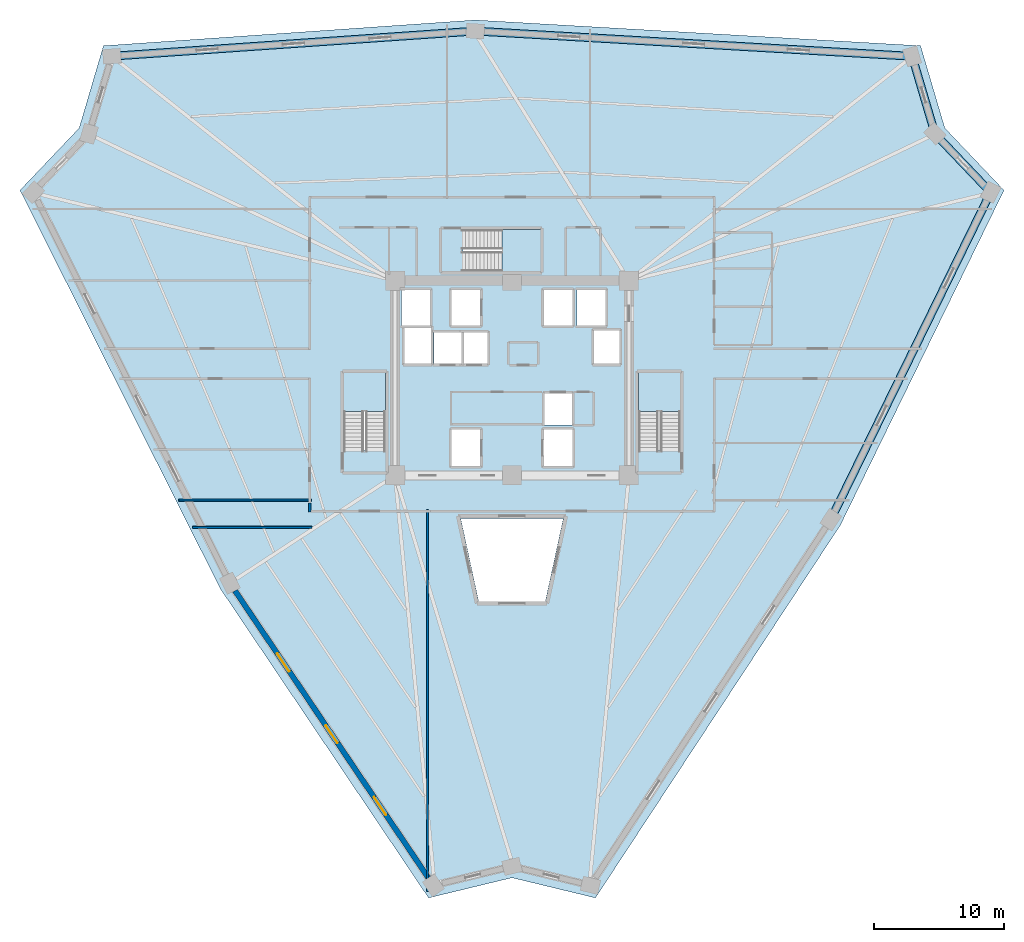
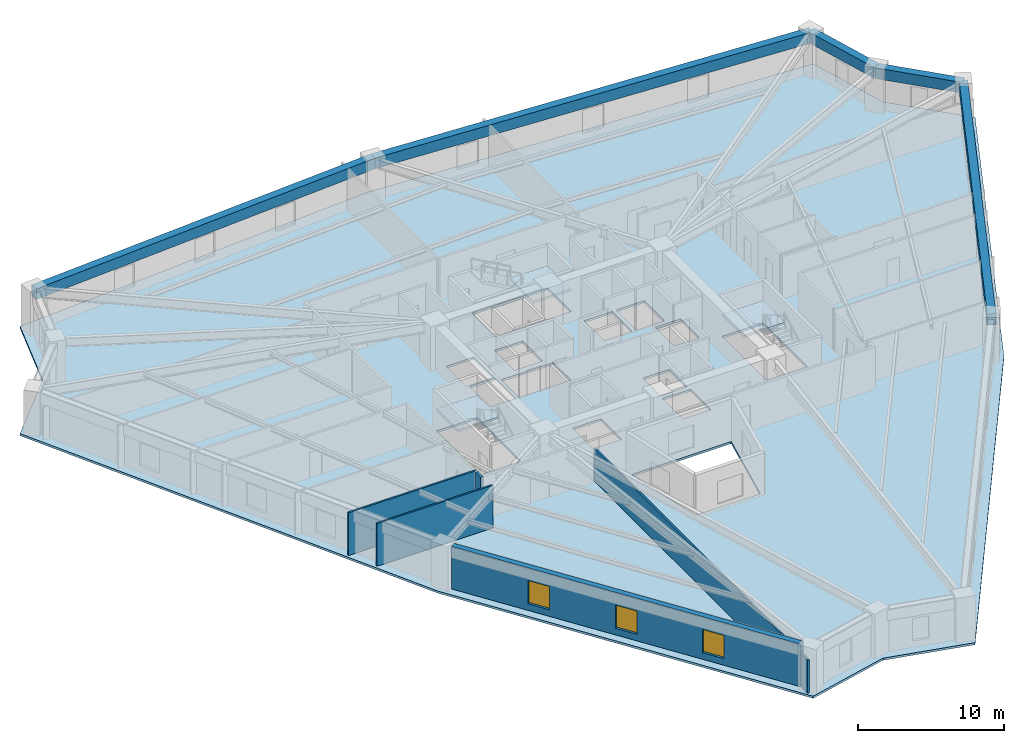
# One storey, part 2 of 8: 5 beams, 5 walls, 4 slabs, 3 windows, 3 openings, 3 elements without a shape of their own.
"""IFC4 building model written with IfcOpenShell, lengths in metres."""

from ifc_helpers import new_model, si_unit, direction, frame, frame_2d, origin, origin_2d, place, context, subcontext, project, spatial, polyline, rectangle, outline, extrude, source, transform, mapped, material, layer, layer_set, material_profile, profile_set, type_object, element, fill, aggregate, save


model = new_model("IFC4")

# Units and contexts
model_context = context("Model", 3, precision=1e-05, world=origin(), true_north=direction((0.0, 1.0)))
body_context = subcontext(model_context, "Body", "Model", "MODEL_VIEW")
ifc_project = project(units=[si_unit("LENGTHUNIT", "METRE"), si_unit("AREAUNIT", "SQUARE_METRE"), si_unit("VOLUMEUNIT", "CUBIC_METRE"), si_unit("PLANEANGLEUNIT", "RADIAN"), si_unit("MASSUNIT", "GRAM", prefix="KILO")], contexts=[model_context])

# Site, building, storey
site_placement = place(None, origin())
site = spatial("IfcSite", under=ifc_project, at=site_placement, CompositionType="ELEMENT")
building_placement = place(site_placement, origin())
building = spatial("IfcBuilding", under=site, at=building_placement, Name="Liaohun Quay Tower", CompositionType="ELEMENT")
storey_placement = place(building_placement, frame((0.0, 0.0, 109.5)))
storey = spatial("IfcBuildingStorey", under=building, at=storey_placement, Name="L28", CompositionType="ELEMENT", Elevation=109.5)

# Beams
ifc_material_1 = material(Name="Precast concrete C55", Category="concrete")
ifc_material_profile = material_profile(ifc_material_1, rectangle(XDim=0.60009765625, YDim=0.89990234375, at=origin_2d()), Name="RC600x900")
ifc_profile_set = profile_set([ifc_material_profile], Name="Precast concrete C55")
beam_type = type_object("IfcBeamType", Name="BM-SPD-Z2", PredefinedType="SPANDREL", material=ifc_profile_set)
shared_shape_1 = source(origin(), body_context, "Body", "SweptSolid", [
    extrude(rectangle(XDim=0.60009765625, YDim=0.89990234375, at=origin_2d()), origin(), (0.0, 0.0, 1.0), 33.677001953125),
])
beam_1_placement = place(storey_placement, frame((57.175048828125, 80.697021484375, 3.1201171875), z_axis=(0.998334044407, -0.057698663574, 0.0), x_axis=(0.057698663574, 0.998334044407, 0.0)))
element("IfcBeam", 1, at=beam_1_placement, inside=storey, type_object=beam_type, Name="L28 Precast Spandrel Beam PC06-PC07", PredefinedType="SPANDREL", context=body_context, shape_type="MappedRepresentation", body=[
    mapped(shared_shape_1, transform((0.0, 0.0, 0.0), x_axis=(1.0, 0.0, 0.0), y_axis=(0.0, 1.0, 0.0), z_axis=(0.0, 0.0, 1.0), scale=1.0)),
])
shared_shape_2 = source(origin(), body_context, "Body", "SweptSolid", [
    extrude(rectangle(XDim=0.60009765625, YDim=0.89990234375, at=origin_2d()), origin(), (0.0, 0.0, 1.0), 28.035888671875),
])
beam_2_placement = place(storey_placement, frame((29.2060546875, 78.760986328125, 3.1201171875), z_axis=(0.997612818127, 0.069055521929, 0.0), x_axis=(-0.069055521929, 0.997612818127, 0.0)))
element("IfcBeam", 2, at=beam_2_placement, inside=storey, type_object=beam_type, Name="L28 Precast Spandrel Beam PC05-PC06", PredefinedType="SPANDREL", context=body_context, shape_type="MappedRepresentation", body=[
    mapped(shared_shape_2, transform((0.0, 0.0, 0.0), x_axis=(1.0, 0.0, 0.0), y_axis=(0.0, 1.0, 0.0), z_axis=(0.0, 0.0, 1.0), scale=1.0)),
])
shared_shape_3 = source(origin(), body_context, "Body", "SweptSolid", [
    extrude(rectangle(XDim=0.60009765625, YDim=0.89990234375, at=origin_2d()), origin(), (0.0, 0.0, 1.0), 6.213623046875),
])
beam_3_placement = place(storey_placement, frame((90.7958984375, 78.75390625, 3.1201171875), z_axis=(0.282781040637, -0.95918448854, 0.0), x_axis=(0.95918448854, 0.282781040637, 0.0)))
element("IfcBeam", 3, at=beam_3_placement, inside=storey, type_object=beam_type, Name="L28 Precast Spandrel Beam PC07-PC08", PredefinedType="SPANDREL", context=body_context, shape_type="MappedRepresentation", body=[
    mapped(shared_shape_3, transform((0.0, 0.0, 0.0), x_axis=(1.0, 0.0, 0.0), y_axis=(0.0, 1.0, 0.0), z_axis=(0.0, 0.0, 1.0), scale=1.0)),
])
shared_shape_4 = source(origin(), body_context, "Body", "SweptSolid", [
    extrude(rectangle(XDim=0.60009765625, YDim=0.89990234375, at=origin_2d()), origin(), (0.0, 0.0, 1.0), 6.22021484375),
])
beam_4_placement = place(storey_placement, frame((92.552978515625, 72.7939453125, 3.1201171875), z_axis=(0.689384622257, -0.724395501502, 0.0), x_axis=(0.724395501502, 0.689384622257, 0.0)))
element("IfcBeam", 4, at=beam_4_placement, inside=storey, type_object=beam_type, Name="L28 Precast Spandrel Beam PC08-PC09", PredefinedType="SPANDREL", context=body_context, shape_type="MappedRepresentation", body=[
    mapped(shared_shape_4, transform((0.0, 0.0, 0.0), x_axis=(1.0, 0.0, 0.0), y_axis=(0.0, 1.0, 0.0), z_axis=(0.0, 0.0, 1.0), scale=1.0)),
])
shared_shape_5 = source(origin(), body_context, "Body", "SweptSolid", [
    extrude(rectangle(XDim=0.60009765625, YDim=0.89990234375, at=origin_2d()), origin(), (0.0, 0.0, 1.0), 28.036376953125),
])
beam_5_placement = place(storey_placement, frame((96.841064453125, 68.2880859375, 3.1201171875), z_axis=(-0.43900583459, -0.898484210877, 0.0), x_axis=(0.898484210877, -0.43900583459, 0.0)))
element("IfcBeam", 5, at=beam_5_placement, inside=storey, type_object=beam_type, Name="L28 Precast Spandrel Beam PC09-PC10", PredefinedType="SPANDREL", context=body_context, shape_type="MappedRepresentation", body=[
    mapped(shared_shape_5, transform((0.0, 0.0, 0.0), x_axis=(1.0, 0.0, 0.0), y_axis=(0.0, 1.0, 0.0), z_axis=(0.0, 0.0, 1.0), scale=1.0)),
])

# Stair, slab
ifc_material_2 = material(Name="Concrete C45", Category="concrete")
stair_type = type_object("IfcStairType", Name="STR-CORE-OFF", PredefinedType="HALF_TURN_STAIR", material=ifc_material_2)
stair_1_placement = place(storey_placement, origin())
stair_1 = element("IfcStair", 6, at=stair_1_placement, inside=storey, type_object=stair_type, Name="L28 Smokeproof Core Exit Stair ST-1", PredefinedType="HALF_TURN_STAIR")
ifc_layer_1 = layer(ifc_material_2, 0.199951171875, Name="Concrete C45", Category="concrete")
ifc_layer_set_1 = layer_set([ifc_layer_1], Name="Concrete C45")
slab_type_1 = type_object("IfcSlabType", Name="SLB-LND-200", PredefinedType="LANDING", material=ifc_layer_set_1)
slab_1_placement = place(storey_placement, frame((0.0, 0.0, 1.675048828125)))
slab_1 = element("IfcSlab", 7, at=slab_1_placement, type_object=slab_type_1, Name="ST-1 landing 1", PredefinedType="LANDING", context=body_context, shape_type="SweptSolid", body=[
    extrude(outline(polyline([(50.280029296875, 51.429931640625), (50.280029296875, 54.419921875), (47.0400390625, 54.419921875), (47.0400390625, 51.429931640625), (50.280029296875, 51.429931640625)])), origin(), (0.0, 0.0, 1.0), 0.199951171875),
])
aggregate(stair_1, [slab_1])

stair_2_placement = place(storey_placement, origin())
stair_2 = element("IfcStair", 8, at=stair_2_placement, inside=storey, type_object=stair_type, Name="L28 Smokeproof Core Exit Stair ST-2", PredefinedType="HALF_TURN_STAIR")
slab_2_placement = place(storey_placement, frame((0.0, 0.0, 1.675048828125)))
slab_2 = element("IfcSlab", 9, at=slab_2_placement, type_object=slab_type_1, Name="ST-2 landing 1", PredefinedType="LANDING", context=body_context, shape_type="SweptSolid", body=[
    extrude(outline(polyline([(72.9599609375, 51.429931640625), (72.9599609375, 54.419921875), (69.719970703125, 54.419921875), (69.719970703125, 51.429931640625), (72.9599609375, 51.429931640625)])), origin(), (0.0, 0.0, 1.0), 0.199951171875),
])
aggregate(stair_2, [slab_2])

stair_3_placement = place(storey_placement, origin())
stair_3 = element("IfcStair", 10, at=stair_3_placement, inside=storey, type_object=stair_type, Name="L28 Smokeproof Core Exit Stair ST-3", PredefinedType="HALF_TURN_STAIR")
slab_3_placement = place(storey_placement, frame((0.0, 0.0, 1.675048828125)))
slab_3 = element("IfcSlab", 11, at=slab_3_placement, type_object=slab_type_1, Name="ST-3 landing 1", PredefinedType="LANDING", context=body_context, shape_type="SweptSolid", body=[
    extrude(outline(polyline([(59.22998046875, 62.199951171875), (62.219970703125, 62.199951171875), (62.219970703125, 65.43994140625), (59.22998046875, 65.43994140625), (59.22998046875, 62.199951171875)])), origin(), (0.0, 0.0, 1.0), 0.199951171875),
])
aggregate(stair_3, [slab_3])

# Slab
ifc_layer_2 = layer(ifc_material_2, 0.179931640625, Name="Concrete C45", Category="concrete")
ifc_layer_set_2 = layer_set([ifc_layer_2], Name="Concrete C45")
slab_type_2 = type_object("IfcSlabType", Name="SLB-OFF-180", PredefinedType="FLOOR", material=ifc_layer_set_2)
slab_4_placement = place(storey_placement, frame((0.0, 0.0, -0.179931640625)))
element("IfcSlab", 12, at=slab_4_placement, inside=storey, type_object=slab_type_2, Name="L28 Structural Floor Slab", PredefinedType="FLOOR", context=body_context, shape_type="SweptSolid", body=[
    extrude(outline(polyline([(53.5791015625, 13.986083984375), (60.0, 15.537109375), (66.4208984375, 13.986083984375), (85.27294921875, 42.676025390625), (97.864013671875, 68.446044921875), (93.31005859375, 73.23095703125), (91.44189453125, 79.568115234375), (57.169921875, 81.549072265625), (28.55810546875, 79.568115234375), (26.68994140625, 73.23095703125), (22.135986328125, 68.446044921875), (37.556884765625, 37.77490234375), (53.5791015625, 13.986083984375)]), holes=[polyline([(57.56005859375, 50.030029296875), (55.340087890625, 50.030029296875), (55.340087890625, 47.2099609375), (57.56005859375, 47.2099609375), (57.56005859375, 50.030029296875)]), polyline([(50.280029296875, 54.419921875), (47.0400390625, 54.419921875), (47.0400390625, 48.409912109375), (50.280029296875, 48.409912109375), (50.280029296875, 54.419921875)]), polyline([(53.989990234375, 55.090087890625), (58.110107421875, 55.090087890625), (58.110107421875, 57.510009765625), (53.989990234375, 57.510009765625), (53.989990234375, 55.090087890625)]), polyline([(53.760009765625, 55.090087890625), (53.760009765625, 57.909912109375), (51.7099609375, 57.909912109375), (51.7099609375, 55.090087890625), (53.760009765625, 55.090087890625)]), polyline([(53.7099609375, 58.0400390625), (53.7099609375, 60.7900390625), (51.489990234375, 60.7900390625), (51.489990234375, 58.0400390625), (53.7099609375, 58.0400390625)]), polyline([(57.56005859375, 58.0400390625), (57.56005859375, 60.7900390625), (55.340087890625, 60.7900390625), (55.340087890625, 58.0400390625), (57.56005859375, 58.0400390625)]), polyline([(62.219970703125, 62.199951171875), (62.219970703125, 65.43994140625), (56.2099609375, 65.43994140625), (56.2099609375, 62.199951171875), (62.219970703125, 62.199951171875)]), polyline([(62.56591796875, 36.80810546875), (63.947998046875, 43.199951171875), (56.052001953125, 43.199951171875), (57.43408203125, 36.80810546875), (62.56591796875, 36.80810546875)]), polyline([(64.659912109375, 47.2099609375), (64.659912109375, 50.030029296875), (62.43994140625, 50.030029296875), (62.43994140625, 47.2099609375), (64.659912109375, 47.2099609375)]), polyline([(72.9599609375, 54.419921875), (69.719970703125, 54.419921875), (69.719970703125, 48.409912109375), (72.9599609375, 48.409912109375), (72.9599609375, 54.419921875)]), polyline([(64.610107421875, 50.389892578125), (64.610107421875, 52.81005859375), (62.489990234375, 52.81005859375), (62.489990234375, 50.389892578125), (64.610107421875, 50.389892578125)]), polyline([(68.2900390625, 55.090087890625), (68.2900390625, 57.659912109375), (66.2900390625, 57.659912109375), (66.2900390625, 55.090087890625), (68.2900390625, 55.090087890625)]), polyline([(64.659912109375, 58.0400390625), (64.659912109375, 60.7900390625), (62.43994140625, 60.7900390625), (62.43994140625, 58.0400390625), (64.659912109375, 58.0400390625)]), polyline([(67.2099609375, 58.0400390625), (67.2099609375, 60.7900390625), (64.989990234375, 60.7900390625), (64.989990234375, 58.0400390625), (67.2099609375, 58.0400390625)])]), origin(), (0.0, 0.0, 1.0), 0.179931640625),
])

# Wall, openings, windows
ifc_material_3 = material(Name="Precast concrete C50 insulated sandwich", Category="concrete")
ifc_layer_3 = layer(ifc_material_3, 0.419921875, Name="Precast concrete C50 insulated sandwich", Category="concrete")
ifc_layer_set_3 = layer_set([ifc_layer_3], Name="Precast concrete C50 insulated sandwich")
wall_type_1 = type_object("IfcWallType", Name="WAL-EXT-Z12", PredefinedType="SOLIDWALL", material=ifc_layer_set_3)
wall_1_placement = place(storey_placement, frame((38.677001953125, 37.633056640625, 0.0), z_axis=(0.0, 0.0, 1.0), x_axis=(0.558641911568, -0.829408955004, 0.0)))
wall_1 = element("IfcWall", 13, at=wall_1_placement, inside=storey, type_object=wall_type_1, Name="L28 Brutalist Precast Pier Wall 11", PredefinedType="SOLIDWALL", context=body_context, shape_type="SweptSolid", body=[
    extrude(rectangle(XDim=26.65771484375, YDim=0.419921875, at=frame_2d((13.328857421875, 0.0))), origin(), (0.0, 0.0, 1.0), 3.570068359375),
])
shared_shape_6 = source(origin(), body_context, "Body", "SweptSolid", [
    extrude(rectangle(XDim=1.64990234375, YDim=1.949951171875, at=frame_2d((0.824951171875, 0.97509765625))), frame((0.0, 0.219970703125, 0.0), z_axis=(0.0, -1.0, 0.0), x_axis=(1.0, 0.0, 0.0)), (0.0, 0.0, 1.0), 0.43994140625),
])
opening_1_placement = place(wall_1_placement, frame((5.839111328125, 0.0, 0.550048828125)))
opening_1 = element("IfcOpeningElement", 14, at=opening_1_placement, cuts=wall_1, Name="Opening W02", PredefinedType="OPENING", context=body_context, shape_type="MappedRepresentation", body=[
    mapped(shared_shape_6, transform((0.0, 0.0, 0.0), x_axis=(1.0, 0.0, 0.0), y_axis=(0.0, 1.0, 0.0), z_axis=(0.0, 0.0, 1.0), scale=1.0)),
])
opening_2_placement = place(wall_1_placement, frame((12.50390625, 0.0, 0.550048828125)))
opening_2 = element("IfcOpeningElement", 15, at=opening_2_placement, cuts=wall_1, Name="Opening W02", PredefinedType="OPENING", context=body_context, shape_type="MappedRepresentation", body=[
    mapped(shared_shape_6, transform((0.0, 0.0, 0.0), x_axis=(1.0, 0.0, 0.0), y_axis=(0.0, 1.0, 0.0), z_axis=(0.0, 0.0, 1.0), scale=1.0)),
])
opening_3_placement = place(wall_1_placement, frame((19.16796875, 0.0, 0.550048828125)))
opening_3 = element("IfcOpeningElement", 16, at=opening_3_placement, cuts=wall_1, Name="Opening W02", PredefinedType="OPENING", context=body_context, shape_type="MappedRepresentation", body=[
    mapped(shared_shape_6, transform((0.0, 0.0, 0.0), x_axis=(1.0, 0.0, 0.0), y_axis=(0.0, 1.0, 0.0), z_axis=(0.0, 0.0, 1.0), scale=1.0)),
])
ifc_material_4 = material(Name="Triple Low-E argon glazing in thermally broken aluminium", Category="aluminium")
window_type = type_object("IfcWindowType", Name="WIN-PUN-Z2", PartitioningType="DOUBLE_PANEL_VERTICAL", PredefinedType="WINDOW", material=ifc_material_4)
shared_shape_7 = source(origin(), body_context, "Body", "SweptSolid", [
    extrude(rectangle(XDim=1.64990234375, YDim=1.949951171875, at=frame_2d((0.824951171875, 0.97509765625))), frame((0.0, 0.030029296875, 0.0), z_axis=(0.0, -1.0, 0.0), x_axis=(1.0, 0.0, 0.0)), (0.0, 0.0, 1.0), 0.06005859375),
])
window_1_placement = place(opening_1_placement, origin())
window_1 = element("IfcWindow", 17, at=window_1_placement, inside=storey, type_object=window_type, Name="L28 Recessed Cold-Climate Punched Window 11-1", OverallHeight=1.949951171875, OverallWidth=1.64990234375, PartitioningType="DOUBLE_PANEL_VERTICAL", PredefinedType="WINDOW", context=body_context, shape_type="MappedRepresentation", body=[
    mapped(shared_shape_7, transform((0.0, 0.0, 0.0), x_axis=(1.0, 0.0, 0.0), y_axis=(0.0, 1.0, 0.0), z_axis=(0.0, 0.0, 1.0), scale=1.0)),
])
fill(opening_1, window_1)
window_2_placement = place(opening_2_placement, origin())
window_2 = element("IfcWindow", 18, at=window_2_placement, inside=storey, type_object=window_type, Name="L28 Recessed Cold-Climate Punched Window 11-2", OverallHeight=1.949951171875, OverallWidth=1.64990234375, PartitioningType="DOUBLE_PANEL_VERTICAL", PredefinedType="WINDOW", context=body_context, shape_type="MappedRepresentation", body=[
    mapped(shared_shape_7, transform((0.0, 0.0, 0.0), x_axis=(1.0, 0.0, 0.0), y_axis=(0.0, 1.0, 0.0), z_axis=(0.0, 0.0, 1.0), scale=1.0)),
])
fill(opening_2, window_2)
window_3_placement = place(opening_3_placement, origin())
window_3 = element("IfcWindow", 19, at=window_3_placement, inside=storey, type_object=window_type, Name="L28 Recessed Cold-Climate Punched Window 11-3", OverallHeight=1.949951171875, OverallWidth=1.64990234375, PartitioningType="DOUBLE_PANEL_VERTICAL", PredefinedType="WINDOW", context=body_context, shape_type="MappedRepresentation", body=[
    mapped(shared_shape_7, transform((0.0, 0.0, 0.0), x_axis=(1.0, 0.0, 0.0), y_axis=(0.0, 1.0, 0.0), z_axis=(0.0, 0.0, 1.0), scale=1.0)),
])
fill(opening_3, window_3)

# Walls
ifc_material_5 = material(Name="Autoclaved aerated concrete blockwork", Category="masonry")
ifc_layer_4 = layer(ifc_material_5, 0.179931640625, Name="Autoclaved aerated concrete blockwork", Category="masonry")
ifc_layer_set_4 = layer_set([ifc_layer_4], Name="Autoclaved aerated concrete blockwork")
wall_type_2 = type_object("IfcWallType", Name="WAL-PRT-COR", PredefinedType="PARTITIONING", material=ifc_layer_set_4)
wall_2_placement = place(storey_placement, frame((44.43994140625, 43.669921875, 0.0), z_axis=(0.0, 0.0, 1.0), x_axis=(0.0, 1.0, 0.0)))
element("IfcWall", 20, at=wall_2_placement, inside=storey, type_object=wall_type_2, Name="L28 Interior Partition Wall 042", PredefinedType="PARTITIONING", context=body_context, shape_type="SweptSolid", body=[
    extrude(rectangle(XDim=0.715087890625, YDim=0.179931640625, at=frame_2d((0.357421875, 0.0))), origin(), (0.0, 0.0, 1.0), 3.570068359375),
])
ifc_material_6 = material(Name="Gypsum board on twin steel studs", Category="steel")
ifc_layer_5 = layer(ifc_material_6, 0.139892578125, Name="Gypsum board on twin steel studs", Category="steel")
ifc_layer_set_5 = layer_set([ifc_layer_5], Name="Gypsum board on twin steel studs")
wall_type_3 = type_object("IfcWallType", Name="WAL-PRT-OFF", PredefinedType="PARTITIONING", material=ifc_layer_set_5)
wall_3_placement = place(storey_placement, frame((44.60009765625, 42.5, 0.0), z_axis=(0.0, 0.0, 1.0), x_axis=(-1.0, 0.0, 0.0)))
element("IfcWall", 21, at=wall_3_placement, inside=storey, type_object=wall_type_3, Name="L28 Interior Partition Wall 045", PredefinedType="PARTITIONING", context=body_context, shape_type="SweptSolid", body=[
    extrude(rectangle(XDim=9.172119140625, YDim=0.139892578125, at=frame_2d((4.5859375, 0.0))), origin(), (0.0, 0.0, 1.0), 3.570068359375),
])
wall_4_placement = place(storey_placement, frame((44.5400390625, 44.60009765625, 0.0), z_axis=(0.0, 0.0, 1.0), x_axis=(-1.0, 0.0, 0.0)))
element("IfcWall", 22, at=wall_4_placement, inside=storey, type_object=wall_type_3, Name="L28 Interior Partition Wall 046", PredefinedType="PARTITIONING", context=body_context, shape_type="SweptSolid", body=[
    extrude(rectangle(XDim=10.16796875, YDim=0.139892578125, at=frame_2d((5.083984375, 0.0))), origin(), (0.0, 0.0, 1.0), 3.570068359375),
])
wall_5_placement = place(storey_placement, frame((53.5, 43.840087890625, 0.0), z_axis=(0.0, 0.0, 1.0), x_axis=(0.0, -1.0, 0.0)))
element("IfcWall", 23, at=wall_5_placement, inside=storey, type_object=wall_type_3, Name="L28 Interior Partition Wall 055", PredefinedType="PARTITIONING", context=body_context, shape_type="SweptSolid", body=[
    extrude(rectangle(XDim=29.343017578125, YDim=0.139892578125, at=frame_2d((14.67138671875, 0.0))), origin(), (0.0, 0.0, 1.0), 2.7548828125),
])

save(model, "model.ifc")
